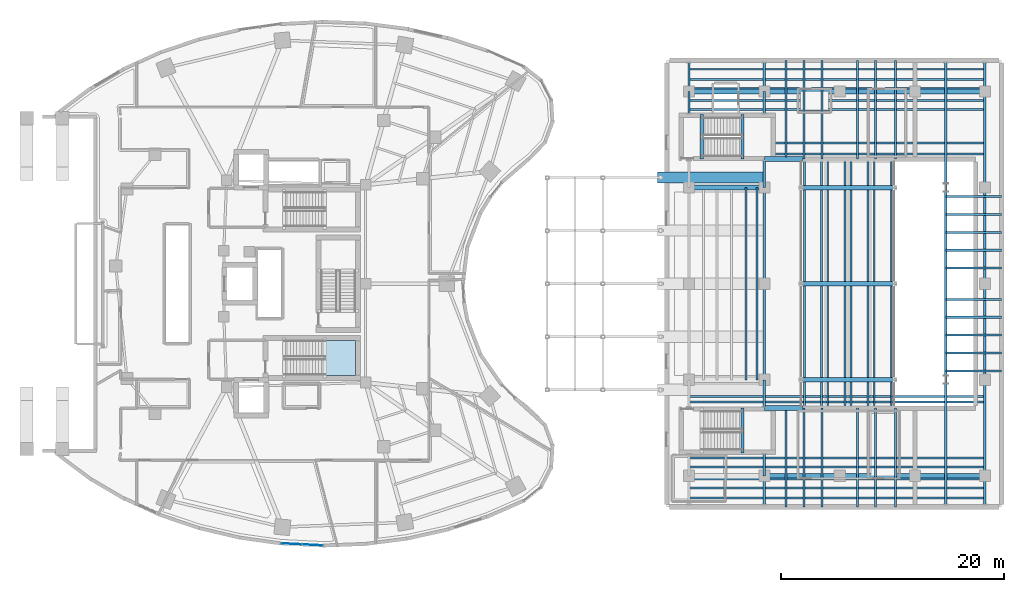
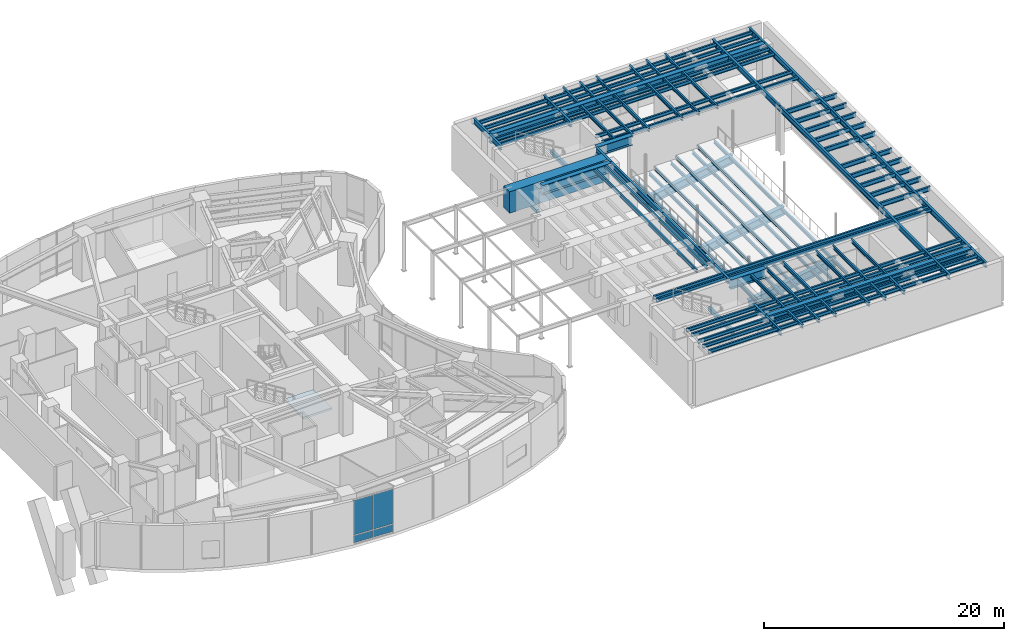
# One storey, part 11 of 24: 78 beams, 4 plates, 1 slab, 2 elements without a shape of their own.
"""IFC4 building model written with IfcOpenShell, lengths in metres."""

from ifc_helpers import new_model, si_unit, direction, frame, origin, origin_2d, place, context, subcontext, project, spatial, polyline, rectangle, i_section, outline, extrude, material, layer, layer_set, material_profile, profile_set, type_object, element, aggregate, save


model = new_model("IFC4")

# Units and contexts
model_context = context("Model", 3, precision=1e-05, world=origin(), true_north=direction((0.0, 1.0)))
body_context = subcontext(model_context, "Body", "Model", "MODEL_VIEW")
ifc_project = project(units=[si_unit("LENGTHUNIT", "METRE"), si_unit("AREAUNIT", "SQUARE_METRE"), si_unit("VOLUMEUNIT", "CUBIC_METRE"), si_unit("PLANEANGLEUNIT", "RADIAN"), si_unit("MASSUNIT", "GRAM", prefix="KILO")], contexts=[model_context])

# Site, building, storey
site_placement = place(None, origin())
site = spatial("IfcSite", under=ifc_project, at=site_placement, CompositionType="ELEMENT")
building_placement = place(site_placement, origin())
building = spatial("IfcBuilding", under=site, at=building_placement, Name="Korentha Bioscience Tower", CompositionType="ELEMENT")
storey_placement = place(building_placement, frame((0.0, 0.0, 5.39990234375)))
storey = spatial("IfcBuildingStorey", under=building, at=storey_placement, Name="L01", CompositionType="ELEMENT", Elevation=5.39990234375)

# Beams
ifc_material_1 = material(Name="Steel S355", Category="steel")
ifc_material_profile_1 = material_profile(ifc_material_1, i_section(OverallWidth=0.166015625, OverallDepth=0.31298828125, WebThickness=0.006591796875, FlangeThickness=0.01123046875, at=origin_2d()), Name="Steel S355")
ifc_profile_set_1 = profile_set([ifc_material_profile_1], Name="Steel S355 (TS-310)")
beam_type_1 = type_object("IfcBeamType", Name="Auditorium Tier Stringer Beam W310x44.5", PredefinedType="BEAM", material=ifc_profile_set_1)
for number, where, z_axis, x_axis, name in (
    (1, (76.85009765625, 15.85009765625, -0.056396484375), (0.0, 1.0, 0.0), (-1.0, 0.0, 0.0), "L01 Tier Stringer Beam 1F"),
    (2, (78.3798828125, 15.85009765625, -0.056396484375), (0.0, 1.0, 0.0), (-1.0, 0.0, 0.0), "L01 Tier Stringer Beam 1B"),
    (3, (78.929931640625, 15.85009765625, 0.3037109375), (0.0, 1.0, 0.0), (-1.0, 0.0, 0.0), "L01 Tier Stringer Beam 2F"),
    (4, (80.4599609375, 15.85009765625, 0.3037109375), (0.0, 1.0, 0.0), (-1.0, 0.0, 0.0), "L01 Tier Stringer Beam 2B"),
    (5, (81.010009765625, 15.85009765625, 0.66357421875), (0.0, 1.0, 0.0), (-1.0, 0.0, 0.0), "L01 Tier Stringer Beam 3F"),
    (6, (82.5400390625, 15.85009765625, 0.66357421875), (0.0, 1.0, 0.0), (-1.0, 0.0, 0.0), "L01 Tier Stringer Beam 3B"),
    (7, (83.090087890625, 15.85009765625, 1.023681640625), (0.0, 1.0, 0.0), (-1.0, 0.0, 0.0), "L01 Tier Stringer Beam 4F"),
    (8, (84.6201171875, 15.85009765625, 1.023681640625), (0.0, 1.0, 0.0), (-1.0, 0.0, 0.0), "L01 Tier Stringer Beam 4B"),
):
    element("IfcBeam", number, at=place(storey_placement, frame(where, z_axis=z_axis, x_axis=x_axis)), inside=storey, type_object=beam_type_1, Name=name, PredefinedType="BEAM", context=body_context, shape_type="SweptSolid", body=[
        extrude(i_section(OverallWidth=0.166015625, OverallDepth=0.31298828125, WebThickness=0.006591796875, FlangeThickness=0.01123046875, at=origin_2d()), origin(), (0.0, 0.0, 1.0), 22.2998046875),
    ])
ifc_material_2 = material(Name="Concrete C50", Category="concrete")
ifc_material_profile_2 = material_profile(ifc_material_2, rectangle(XDim=0.280029296875, YDim=0.3798828125, at=origin_2d()), Name="Concrete C50")
ifc_profile_set_2 = profile_set([ifc_material_profile_2], Name="Concrete C50 (ST-HB380)")
beam_type_2 = type_object("IfcBeamType", Name="Concrete Stair Header Beam RC 280x380", PredefinedType="BEAM", material=ifc_profile_set_2)
for number, where, z_axis, x_axis, name in (
    (9, (71.2900390625, 11.85009765625, 2.210205078125), (0.0, 1.0, 0.0), (-1.0, 0.0, 0.0), "L01 ST-T1 Half-Landing Header Beam 1"),
    (10, (67.64990234375, 38.14990234375, -0.18994140625), (0.0, 1.0, 0.0), (-1.0, 0.0, 0.0), "L01 ST-T2 Concrete Stair Header Beam"),
    (11, (71.2900390625, 38.14990234375, 2.210205078125), (0.0, 1.0, 0.0), (-1.0, 0.0, 0.0), "L01 ST-T2 Half-Landing Header Beam 1"),
):
    element("IfcBeam", number, at=place(storey_placement, frame(where, z_axis=z_axis, x_axis=x_axis)), inside=storey, type_object=beam_type_2, Name=name, PredefinedType="BEAM", context=body_context, shape_type="SweptSolid", body=[
        extrude(rectangle(XDim=0.280029296875, YDim=0.3798828125, at=origin_2d()), origin(), (0.0, 0.0, 1.0), 4.0),
    ])
ifc_material_profile_3 = material_profile(ifc_material_1, i_section(OverallWidth=0.208984375, OverallDepth=0.532958984375, WebThickness=0.01025390625, FlangeThickness=0.015625, at=origin_2d()), Name="Steel S355")
ifc_profile_set_3 = profile_set([ifc_material_profile_3], Name="Steel S355 (SB-530)")
beam_type_3 = type_object("IfcBeamType", Name="Perimeter Ring Spandrel Girder W530x92", PredefinedType="SPANDREL", material=ifc_profile_set_3)
beam_1_placement = place(storey_placement, frame((66.5, 42.25, 4.233642578125), z_axis=(0.0, 1.0, 0.0), x_axis=(-1.0, 0.0, 0.0)))
element("IfcBeam", 12, at=beam_1_placement, inside=storey, type_object=beam_type_3, Name="L01 Theatre Collector Girder 1-7", PredefinedType="SPANDREL", context=body_context, shape_type="SweptSolid", body=[
    extrude(i_section(OverallWidth=0.208984375, OverallDepth=0.532958984375, WebThickness=0.01025390625, FlangeThickness=0.015625, at=origin_2d()), origin(), (0.0, 0.0, 1.0), 1.949951171875),
])
for number, where, z_axis, x_axis, name in (
    (13, (66.5, 44.199951171875, 4.233642578125), (0.0, 1.0, 0.0), (-1.0, 0.0, 0.0), "L01 Theatre Collector Girder 1-8"),
    (14, (73.25, 7.2099609375, 4.233642578125), (0.0, 1.0, 0.0), (-1.0, 0.0, 0.0), "L01 Theatre Collector Girder 2-1"),
):
    element("IfcBeam", number, at=place(storey_placement, frame(where, z_axis=z_axis, x_axis=x_axis)), inside=storey, type_object=beam_type_3, Name=name, PredefinedType="SPANDREL", context=body_context, shape_type="SweptSolid", body=[
        extrude(i_section(OverallWidth=0.208984375, OverallDepth=0.532958984375, WebThickness=0.01025390625, FlangeThickness=0.015625, at=origin_2d()), origin(), (0.0, 0.0, 1.0), 2.590087890625),
    ])
beam_2_placement = place(storey_placement, frame((73.25, 9.800048828125, 4.233642578125), z_axis=(0.0, 1.0, 0.0), x_axis=(-1.0, 0.0, 0.0)))
element("IfcBeam", 15, at=beam_2_placement, inside=storey, type_object=beam_type_3, Name="L01 Theatre Collector Girder 2-2", PredefinedType="SPANDREL", context=body_context, shape_type="SweptSolid", body=[
    extrude(i_section(OverallWidth=0.208984375, OverallDepth=0.532958984375, WebThickness=0.01025390625, FlangeThickness=0.015625, at=origin_2d()), origin(), (0.0, 0.0, 1.0), 1.949951171875),
])
beam_3_placement = place(storey_placement, frame((73.25, 15.949951171875, 4.233642578125), z_axis=(0.0, 1.0, 0.0), x_axis=(-1.0, 0.0, 0.0)))
element("IfcBeam", 16, at=beam_3_placement, inside=storey, type_object=beam_type_3, Name="L01 Theatre Collector Girder 2-3", PredefinedType="SPANDREL", context=body_context, shape_type="SweptSolid", body=[
    extrude(i_section(OverallWidth=0.208984375, OverallDepth=0.532958984375, WebThickness=0.01025390625, FlangeThickness=0.015625, at=origin_2d()), origin(), (0.0, 0.0, 1.0), 2.449951171875),
])
for number, where, z_axis, x_axis, name in (
    (17, (73.25, 18.39990234375, 4.233642578125), (0.0, 1.0, 0.0), (-1.0, 0.0, 0.0), "L01 Theatre Collector Girder 2-4"),
    (18, (73.25, 27.0, 4.233642578125), (0.0, 1.0, 0.0), (-1.0, 0.0, 0.0), "L01 Theatre Collector Girder 2-5"),
):
    element("IfcBeam", number, at=place(storey_placement, frame(where, z_axis=z_axis, x_axis=x_axis)), inside=storey, type_object=beam_type_3, Name=name, PredefinedType="SPANDREL", context=body_context, shape_type="SweptSolid", body=[
        extrude(i_section(OverallWidth=0.208984375, OverallDepth=0.532958984375, WebThickness=0.01025390625, FlangeThickness=0.015625, at=origin_2d()), origin(), (0.0, 0.0, 1.0), 8.60009765625),
    ])
beam_4_placement = place(storey_placement, frame((73.25, 35.60009765625, 4.233642578125), z_axis=(0.0, 1.0, 0.0), x_axis=(-1.0, 0.0, 0.0)))
element("IfcBeam", 19, at=beam_4_placement, inside=storey, type_object=beam_type_3, Name="L01 Theatre Collector Girder 2-6", PredefinedType="SPANDREL", context=body_context, shape_type="SweptSolid", body=[
    extrude(i_section(OverallWidth=0.208984375, OverallDepth=0.532958984375, WebThickness=0.01025390625, FlangeThickness=0.015625, at=origin_2d()), origin(), (0.0, 0.0, 1.0), 2.449951171875),
])
beam_5_placement = place(storey_placement, frame((73.25, 42.25, 4.233642578125), z_axis=(0.0, 1.0, 0.0), x_axis=(-1.0, 0.0, 0.0)))
element("IfcBeam", 20, at=beam_5_placement, inside=storey, type_object=beam_type_3, Name="L01 Theatre Collector Girder 2-7", PredefinedType="SPANDREL", context=body_context, shape_type="SweptSolid", body=[
    extrude(i_section(OverallWidth=0.208984375, OverallDepth=0.532958984375, WebThickness=0.01025390625, FlangeThickness=0.015625, at=origin_2d()), origin(), (0.0, 0.0, 1.0), 1.949951171875),
])
beam_6_placement = place(storey_placement, frame((73.25, 44.199951171875, 4.233642578125), z_axis=(0.0, 1.0, 0.0), x_axis=(-1.0, 0.0, 0.0)))
element("IfcBeam", 21, at=beam_6_placement, inside=storey, type_object=beam_type_3, Name="L01 Theatre Collector Girder 2-8", PredefinedType="SPANDREL", context=body_context, shape_type="SweptSolid", body=[
    extrude(i_section(OverallWidth=0.208984375, OverallDepth=0.532958984375, WebThickness=0.01025390625, FlangeThickness=0.015625, at=origin_2d()), origin(), (0.0, 0.0, 1.0), 2.590087890625),
])
beam_7_placement = place(storey_placement, frame((89.5, 7.2099609375, 4.233642578125), z_axis=(0.0, 1.0, 0.0), x_axis=(-1.0, 0.0, 0.0)))
element("IfcBeam", 22, at=beam_7_placement, inside=storey, type_object=beam_type_3, Name="L01 Theatre Collector Girder 3-1", PredefinedType="SPANDREL", context=body_context, shape_type="SweptSolid", body=[
    extrude(i_section(OverallWidth=0.208984375, OverallDepth=0.532958984375, WebThickness=0.01025390625, FlangeThickness=0.015625, at=origin_2d()), origin(), (0.0, 0.0, 1.0), 11.18994140625),
])
beam_8_placement = place(storey_placement, frame((89.5, 18.39990234375, 4.233642578125), z_axis=(0.0, 1.0, 0.0), x_axis=(-1.0, 0.0, 0.0)))
element("IfcBeam", 23, at=beam_8_placement, inside=storey, type_object=beam_type_3, Name="L01 Theatre Collector Girder 3-2", PredefinedType="SPANDREL", context=body_context, shape_type="SweptSolid", body=[
    extrude(i_section(OverallWidth=0.208984375, OverallDepth=0.532958984375, WebThickness=0.01025390625, FlangeThickness=0.015625, at=origin_2d()), origin(), (0.0, 0.0, 1.0), 17.2001953125),
])
beam_9_placement = place(storey_placement, frame((89.5, 35.60009765625, 4.233642578125), z_axis=(0.0, 1.0, 0.0), x_axis=(-1.0, 0.0, 0.0)))
element("IfcBeam", 24, at=beam_9_placement, inside=storey, type_object=beam_type_3, Name="L01 Theatre Collector Girder 3-3", PredefinedType="SPANDREL", context=body_context, shape_type="SweptSolid", body=[
    extrude(i_section(OverallWidth=0.208984375, OverallDepth=0.532958984375, WebThickness=0.01025390625, FlangeThickness=0.015625, at=origin_2d()), origin(), (0.0, 0.0, 1.0), 11.18994140625),
])
beam_10_placement = place(storey_placement, frame((93.0, 7.2099609375, 4.233642578125), z_axis=(0.0, 1.0, 0.0), x_axis=(-1.0, 0.0, 0.0)))
element("IfcBeam", 25, at=beam_10_placement, inside=storey, type_object=beam_type_3, Name="L01 Theatre Collector Girder 4-1", PredefinedType="SPANDREL", context=body_context, shape_type="SweptSolid", body=[
    extrude(i_section(OverallWidth=0.208984375, OverallDepth=0.532958984375, WebThickness=0.01025390625, FlangeThickness=0.015625, at=origin_2d()), origin(), (0.0, 0.0, 1.0), 2.590087890625),
])
beam_11_placement = place(storey_placement, frame((93.0, 9.800048828125, 4.233642578125), z_axis=(0.0, 1.0, 0.0), x_axis=(-1.0, 0.0, 0.0)))
element("IfcBeam", 26, at=beam_11_placement, inside=storey, type_object=beam_type_3, Name="L01 Theatre Collector Girder 4-2", PredefinedType="SPANDREL", context=body_context, shape_type="SweptSolid", body=[
    extrude(i_section(OverallWidth=0.208984375, OverallDepth=0.532958984375, WebThickness=0.01025390625, FlangeThickness=0.015625, at=origin_2d()), origin(), (0.0, 0.0, 1.0), 8.599853515625),
])
for number, where, z_axis, x_axis, name in (
    (27, (93.0, 18.39990234375, 4.233642578125), (0.0, 1.0, 0.0), (-1.0, 0.0, 0.0), "L01 Theatre Collector Girder 4-3"),
    (28, (93.0, 27.0, 4.233642578125), (0.0, 1.0, 0.0), (-1.0, 0.0, 0.0), "L01 Theatre Collector Girder 4-4"),
):
    element("IfcBeam", number, at=place(storey_placement, frame(where, z_axis=z_axis, x_axis=x_axis)), inside=storey, type_object=beam_type_3, Name=name, PredefinedType="SPANDREL", context=body_context, shape_type="SweptSolid", body=[
        extrude(i_section(OverallWidth=0.208984375, OverallDepth=0.532958984375, WebThickness=0.01025390625, FlangeThickness=0.015625, at=origin_2d()), origin(), (0.0, 0.0, 1.0), 8.60009765625),
    ])
beam_12_placement = place(storey_placement, frame((93.0, 35.60009765625, 4.233642578125), z_axis=(0.0, 1.0, 0.0), x_axis=(-1.0, 0.0, 0.0)))
element("IfcBeam", 29, at=beam_12_placement, inside=storey, type_object=beam_type_3, Name="L01 Theatre Collector Girder 4-5", PredefinedType="SPANDREL", context=body_context, shape_type="SweptSolid", body=[
    extrude(i_section(OverallWidth=0.208984375, OverallDepth=0.532958984375, WebThickness=0.01025390625, FlangeThickness=0.015625, at=origin_2d()), origin(), (0.0, 0.0, 1.0), 8.599853515625),
])
beam_13_placement = place(storey_placement, frame((93.0, 44.199951171875, 4.233642578125), z_axis=(0.0, 1.0, 0.0), x_axis=(-1.0, 0.0, 0.0)))
element("IfcBeam", 30, at=beam_13_placement, inside=storey, type_object=beam_type_3, Name="L01 Theatre Collector Girder 4-6", PredefinedType="SPANDREL", context=body_context, shape_type="SweptSolid", body=[
    extrude(i_section(OverallWidth=0.208984375, OverallDepth=0.532958984375, WebThickness=0.01025390625, FlangeThickness=0.015625, at=origin_2d()), origin(), (0.0, 0.0, 1.0), 2.590087890625),
])
ifc_material_profile_4 = material_profile(ifc_material_1, i_section(OverallWidth=0.18994140625, OverallDepth=0.45703125, WebThickness=0.009033203125, FlangeThickness=0.014404296875, at=origin_2d()), Name="Steel S355")
ifc_profile_set_4 = profile_set([ifc_material_profile_4], Name="Steel S355 (RB-460)")
beam_type_4 = type_object("IfcBeamType", Name="Radial Laboratory Beam W460x74", PredefinedType="BEAM", material=ifc_profile_set_4)
for number, where, z_axis, x_axis, name in (
    (31, (89.5, 19.199951171875, 4.271484375), (1.0, 0.0, 0.0), (0.0, 1.0, 0.0), "L01 Stage Fly-Tower Girder 01"),
    (32, (89.5, 20.800048828125, 4.271484375), (1.0, 0.0, 0.0), (0.0, 1.0, 0.0), "L01 Stage Fly-Tower Girder 02"),
    (33, (89.5, 22.39990234375, 4.271484375), (1.0, 0.0, 0.0), (0.0, 1.0, 0.0), "L01 Stage Fly-Tower Girder 03"),
    (34, (89.5, 24.0, 4.271484375), (1.0, 0.0, 0.0), (0.0, 1.0, 0.0), "L01 Stage Fly-Tower Girder 04"),
    (35, (89.5, 25.60009765625, 4.271484375), (1.0, 0.0, 0.0), (0.0, 1.0, 0.0), "L01 Stage Fly-Tower Girder 05"),
    (36, (89.5, 28.39990234375, 4.271484375), (1.0, 0.0, 0.0), (0.0, 1.0, 0.0), "L01 Stage Fly-Tower Girder 06"),
    (37, (89.5, 30.0, 4.271484375), (1.0, 0.0, 0.0), (0.0, 1.0, 0.0), "L01 Stage Fly-Tower Girder 07"),
    (38, (89.5, 31.60009765625, 4.271484375), (1.0, 0.0, 0.0), (0.0, 1.0, 0.0), "L01 Stage Fly-Tower Girder 08"),
    (39, (89.5, 33.199951171875, 4.271484375), (1.0, 0.0, 0.0), (0.0, 1.0, 0.0), "L01 Stage Fly-Tower Girder 09"),
    (40, (89.5, 34.800048828125, 4.271484375), (1.0, 0.0, 0.0), (0.0, 1.0, 0.0), "L01 Stage Fly-Tower Girder 10"),
):
    element("IfcBeam", number, at=place(storey_placement, frame(where, z_axis=z_axis, x_axis=x_axis)), inside=storey, type_object=beam_type_4, Name=name, PredefinedType="BEAM", context=body_context, shape_type="SweptSolid", body=[
        extrude(i_section(OverallWidth=0.18994140625, OverallDepth=0.45703125, WebThickness=0.009033203125, FlangeThickness=0.014404296875, at=origin_2d()), origin(), (0.0, 0.0, 1.0), 5.0),
    ])
ifc_material_profile_5 = material_profile(ifc_material_1, i_section(OverallWidth=0.1708984375, OverallDepth=0.35498046875, WebThickness=0.007080078125, FlangeThickness=0.01171875, at=origin_2d()), Name="Steel S355")
ifc_profile_set_5 = profile_set([ifc_material_profile_5], Name="Steel S355 (JB-360)")
beam_type_5 = type_object("IfcBeamType", Name="Secondary Laboratory Joist W360x51", PredefinedType="JOIST", material=ifc_profile_set_5)
for number, where, z_axis, x_axis, name in (
    (41, (66.5, 7.800048828125, 4.322509765625), (1.0, 0.0, 0.0), (0.0, 1.0, 0.0), "L01 Theatre Wing Secondary Joist 01"),
    (42, (66.5, 8.699951171875, 4.322509765625), (1.0, 0.0, 0.0), (0.0, 1.0, 0.0), "L01 Theatre Wing Secondary Joist 02"),
    (43, (66.5, 9.5, 4.322509765625), (1.0, 0.0, 0.0), (0.0, 1.0, 0.0), "L01 Theatre Wing Secondary Joist 03"),
    (44, (66.5, 10.60009765625, 4.322509765625), (1.0, 0.0, 0.0), (0.0, 1.0, 0.0), "L01 Theatre Wing Secondary Joist 04"),
    (45, (66.5, 11.39990234375, 4.322509765625), (1.0, 0.0, 0.0), (0.0, 1.0, 0.0), "L01 Theatre Wing Secondary Joist 05"),
    (46, (66.5, 16.39990234375, 4.322509765625), (1.0, 0.0, 0.0), (0.0, 1.0, 0.0), "L01 Theatre Wing Secondary Joist 06"),
    (47, (66.5, 16.89990234375, 4.322509765625), (1.0, 0.0, 0.0), (0.0, 1.0, 0.0), "L01 Theatre Wing Secondary Joist 07"),
):
    element("IfcBeam", number, at=place(storey_placement, frame(where, z_axis=z_axis, x_axis=x_axis)), inside=storey, type_object=beam_type_5, Name=name, PredefinedType="JOIST", context=body_context, shape_type="SweptSolid", body=[
        extrude(i_section(OverallWidth=0.1708984375, OverallDepth=0.35498046875, WebThickness=0.007080078125, FlangeThickness=0.01171875, at=origin_2d()), origin(), (0.0, 0.0, 1.0), 26.5),
    ])
for number, where, z_axis, x_axis, name in (
    (48, (74.0400390625, 38.60009765625, 4.322509765625), (1.0, 0.0, 0.0), (0.0, 1.0, 0.0), "L01 Theatre Wing Secondary Joist 08"),
    (49, (74.0400390625, 39.60009765625, 4.322509765625), (1.0, 0.0, 0.0), (0.0, 1.0, 0.0), "L01 Theatre Wing Secondary Joist 09"),
):
    element("IfcBeam", number, at=place(storey_placement, frame(where, z_axis=z_axis, x_axis=x_axis)), inside=storey, type_object=beam_type_5, Name=name, PredefinedType="JOIST", context=body_context, shape_type="SweptSolid", body=[
        extrude(i_section(OverallWidth=0.1708984375, OverallDepth=0.35498046875, WebThickness=0.007080078125, FlangeThickness=0.01171875, at=origin_2d()), origin(), (0.0, 0.0, 1.0), 18.9599609375),
    ])
for number, where, z_axis, x_axis, name in (
    (50, (66.5, 42.60009765625, 4.322509765625), (1.0, 0.0, 0.0), (0.0, 1.0, 0.0), "L01 Theatre Wing Secondary Joist 10"),
    (51, (66.5, 43.39990234375, 4.322509765625), (1.0, 0.0, 0.0), (0.0, 1.0, 0.0), "L01 Theatre Wing Secondary Joist 11"),
    (52, (66.5, 44.5, 4.322509765625), (1.0, 0.0, 0.0), (0.0, 1.0, 0.0), "L01 Theatre Wing Secondary Joist 12"),
    (53, (66.5, 45.300048828125, 4.322509765625), (1.0, 0.0, 0.0), (0.0, 1.0, 0.0), "L01 Theatre Wing Secondary Joist 13"),
    (54, (66.5, 46.199951171875, 4.322509765625), (1.0, 0.0, 0.0), (0.0, 1.0, 0.0), "L01 Theatre Wing Secondary Joist 14"),
):
    element("IfcBeam", number, at=place(storey_placement, frame(where, z_axis=z_axis, x_axis=x_axis)), inside=storey, type_object=beam_type_5, Name=name, PredefinedType="JOIST", context=body_context, shape_type="SweptSolid", body=[
        extrude(i_section(OverallWidth=0.1708984375, OverallDepth=0.35498046875, WebThickness=0.007080078125, FlangeThickness=0.01171875, at=origin_2d()), origin(), (0.0, 0.0, 1.0), 26.5),
    ])
for number, where, z_axis, x_axis, name in (
    (55, (71.60009765625, 18.39990234375, 4.322509765625), (0.0, 1.0, 0.0), (-1.0, 0.0, 0.0), "L01 Theatre Foyer Longitudinal Joist 04"),
    (56, (72.60009765625, 18.39990234375, 4.322509765625), (0.0, 1.0, 0.0), (-1.0, 0.0, 0.0), "L01 Theatre Foyer Longitudinal Joist 05"),
):
    element("IfcBeam", number, at=place(storey_placement, frame(where, z_axis=z_axis, x_axis=x_axis)), inside=storey, type_object=beam_type_5, Name=name, PredefinedType="JOIST", context=body_context, shape_type="SweptSolid", body=[
        extrude(i_section(OverallWidth=0.1708984375, OverallDepth=0.35498046875, WebThickness=0.007080078125, FlangeThickness=0.01171875, at=origin_2d()), origin(), (0.0, 0.0, 1.0), 17.2001953125),
    ])
for number, where, z_axis, x_axis, name in (
    (57, (75.199951171875, 7.0, 4.322509765625), (0.0, 1.0, 0.0), (-1.0, 0.0, 0.0), "L01 South Wing Longitudinal Joist 06"),
    (58, (75.199951171875, 38.340087890625, 4.322509765625), (0.0, 1.0, 0.0), (-1.0, 0.0, 0.0), "L01 North Wing Longitudinal Joist 06"),
):
    element("IfcBeam", number, at=place(storey_placement, frame(where, z_axis=z_axis, x_axis=x_axis)), inside=storey, type_object=beam_type_5, Name=name, PredefinedType="JOIST", context=body_context, shape_type="SweptSolid", body=[
        extrude(i_section(OverallWidth=0.1708984375, OverallDepth=0.35498046875, WebThickness=0.007080078125, FlangeThickness=0.01171875, at=origin_2d()), origin(), (0.0, 0.0, 1.0), 8.659912109375),
    ])
for number, where, z_axis, x_axis, name in (
    (59, (76.800048828125, 7.0, 4.322509765625), (0.0, 1.0, 0.0), (-1.0, 0.0, 0.0), "L01 South Wing Longitudinal Joist 07"),
    (60, (76.800048828125, 38.14990234375, 4.322509765625), (0.0, 1.0, 0.0), (-1.0, 0.0, 0.0), "L01 North Wing Longitudinal Joist 07"),
    (61, (78.39990234375, 7.0, 4.322509765625), (0.0, 1.0, 0.0), (-1.0, 0.0, 0.0), "L01 South Wing Longitudinal Joist 08"),
    (62, (78.39990234375, 38.14990234375, 4.322509765625), (0.0, 1.0, 0.0), (-1.0, 0.0, 0.0), "L01 North Wing Longitudinal Joist 08"),
    (63, (81.60009765625, 7.0, 4.322509765625), (0.0, 1.0, 0.0), (-1.0, 0.0, 0.0), "L01 South Wing Longitudinal Joist 09"),
    (64, (81.60009765625, 38.14990234375, 4.322509765625), (0.0, 1.0, 0.0), (-1.0, 0.0, 0.0), "L01 North Wing Longitudinal Joist 09"),
    (65, (83.199951171875, 7.0, 4.322509765625), (0.0, 1.0, 0.0), (-1.0, 0.0, 0.0), "L01 South Wing Longitudinal Joist 10"),
    (66, (83.199951171875, 38.14990234375, 4.322509765625), (0.0, 1.0, 0.0), (-1.0, 0.0, 0.0), "L01 North Wing Longitudinal Joist 10"),
    (67, (85.0, 7.0, 4.322509765625), (0.0, 1.0, 0.0), (-1.0, 0.0, 0.0), "L01 South Wing Longitudinal Joist 11"),
    (68, (85.0, 38.14990234375, 4.322509765625), (0.0, 1.0, 0.0), (-1.0, 0.0, 0.0), "L01 North Wing Longitudinal Joist 11"),
):
    element("IfcBeam", number, at=place(storey_placement, frame(where, z_axis=z_axis, x_axis=x_axis)), inside=storey, type_object=beam_type_5, Name=name, PredefinedType="JOIST", context=body_context, shape_type="SweptSolid", body=[
        extrude(i_section(OverallWidth=0.1708984375, OverallDepth=0.35498046875, WebThickness=0.007080078125, FlangeThickness=0.01171875, at=origin_2d()), origin(), (0.0, 0.0, 1.0), 8.85009765625),
    ])
ifc_material_profile_6 = material_profile(ifc_material_1, i_section(OverallWidth=0.419921875, OverallDepth=0.85009765625, WebThickness=0.01806640625, FlangeThickness=0.031982421875, at=origin_2d()), Name="Steel S355")
ifc_profile_set_6 = profile_set([ifc_material_profile_6], Name="Steel S355 (TR-850)")
beam_type_6 = type_object("IfcBeamType", Name="Theatre Auditorium Raker Girder CVS 850x315", PredefinedType="USERDEFINED", material=ifc_profile_set_6)
for number, where, z_axis, x_axis, name in (
    (69, (84.949951171875, 18.39990234375, 0.76708984375), (-0.984590221828, 0.0, -0.174877371551), (0.0, -1.0, 0.0), "L01 Auditorium Raker Girder Y18"),
    (70, (84.949951171875, 27.0, 0.76708984375), (-0.984590221828, 0.0, -0.174877371551), (0.0, -1.0, 0.0), "L01 Auditorium Raker Girder Y27"),
    (71, (84.949951171875, 35.60009765625, 0.76708984375), (-0.984590221828, 0.0, -0.174877371551), (0.0, -1.0, 0.0), "L01 Auditorium Raker Girder Y35"),
):
    element("IfcBeam", number, at=place(storey_placement, frame(where, z_axis=z_axis, x_axis=x_axis)), inside=storey, type_object=beam_type_6, Name=name, ObjectType="RAKER", PredefinedType="USERDEFINED", context=body_context, shape_type="SweptSolid", body=[
        extrude(i_section(OverallWidth=0.419921875, OverallDepth=0.85009765625, WebThickness=0.01806640625, FlangeThickness=0.031982421875, at=origin_2d()), origin(), (0.0, 0.0, 1.0), 8.53125),
    ])
ifc_material_profile_7 = material_profile(ifc_material_2, rectangle(XDim=1.0, YDim=2.199951171875, at=origin_2d()), Name="Concrete C50")
ifc_profile_set_7 = profile_set([ifc_material_profile_7], Name="Concrete C50 (TCB-01)")
beam_type_7 = type_object("IfcBeamType", Name="Theatre Joint Corbel Beam RC 1000x2200", PredefinedType="BEAM", material=ifc_profile_set_7)
beam_14_placement = place(storey_placement, frame((63.699951171875, 36.5, 3.400146484375), z_axis=(1.0, 0.0, 0.0), x_axis=(0.0, 1.0, 0.0)))
element("IfcBeam", 72, at=beam_14_placement, inside=storey, type_object=beam_type_7, Name="L01 Theatre Movement-Joint Corbel 05", PredefinedType="BEAM", context=body_context, shape_type="SweptSolid", body=[
    extrude(rectangle(XDim=1.0, YDim=2.199951171875, at=origin_2d()), origin(), (0.0, 0.0, 1.0), 9.550048828125),
])
ifc_material_profile_8 = material_profile(ifc_material_1, i_section(OverallWidth=0.449951171875, OverallDepth=0.949951171875, WebThickness=0.02001953125, FlangeThickness=0.034912109375, at=origin_2d()), Name="Steel S355")
ifc_profile_set_8 = profile_set([ifc_material_profile_8], Name="Steel S355 (TB-950)")
beam_type_8 = type_object("IfcBeamType", Name="Theatre Primary Girder CVS 950x374", PredefinedType="BEAM", material=ifc_profile_set_8)
for number, where, z_axis, x_axis, name in (
    (73, (73.25, 15.85009765625, 4.025146484375), (1.0, 0.0, 0.0), (0.0, 1.0, 0.0), "L01 Theatre Corridor Header Girder S"),
    (74, (73.25, 38.14990234375, 4.025146484375), (1.0, 0.0, 0.0), (0.0, 1.0, 0.0), "L01 Theatre Corridor Header Girder N"),
):
    element("IfcBeam", number, at=place(storey_placement, frame(where, z_axis=z_axis, x_axis=x_axis)), inside=storey, type_object=beam_type_8, Name=name, PredefinedType="BEAM", context=body_context, shape_type="SweptSolid", body=[
        extrude(i_section(OverallWidth=0.449951171875, OverallDepth=0.949951171875, WebThickness=0.02001953125, FlangeThickness=0.034912109375, at=origin_2d()), origin(), (0.0, 0.0, 1.0), 3.39990234375),
    ])
beam_15_placement = place(storey_placement, frame((73.25, 9.800048828125, 4.025146484375), z_axis=(1.0, 0.0, 0.0), x_axis=(0.0, 1.0, 0.0)))
element("IfcBeam", 75, at=beam_15_placement, inside=storey, type_object=beam_type_8, Name="L01 Theatre Long-Span Girder 1", PredefinedType="BEAM", context=body_context, shape_type="SweptSolid", body=[
    extrude(i_section(OverallWidth=0.449951171875, OverallDepth=0.949951171875, WebThickness=0.02001953125, FlangeThickness=0.034912109375, at=origin_2d()), origin(), (0.0, 0.0, 1.0), 19.75),
])
for number, where, z_axis, x_axis, name in (
    (76, (66.5, 35.60009765625, 4.025146484375), (1.0, 0.0, 0.0), (0.0, 1.0, 0.0), "L01 Theatre Foyer Girder 4"),
    (77, (66.5, 44.199951171875, 4.025146484375), (1.0, 0.0, 0.0), (0.0, 1.0, 0.0), "L01 Theatre Foyer Girder 5"),
):
    element("IfcBeam", number, at=place(storey_placement, frame(where, z_axis=z_axis, x_axis=x_axis)), inside=storey, type_object=beam_type_8, Name=name, PredefinedType="BEAM", context=body_context, shape_type="SweptSolid", body=[
        extrude(i_section(OverallWidth=0.449951171875, OverallDepth=0.949951171875, WebThickness=0.02001953125, FlangeThickness=0.034912109375, at=origin_2d()), origin(), (0.0, 0.0, 1.0), 6.75),
    ])
beam_16_placement = place(storey_placement, frame((73.25, 44.199951171875, 4.025146484375), z_axis=(1.0, 0.0, 0.0), x_axis=(0.0, 1.0, 0.0)))
element("IfcBeam", 78, at=beam_16_placement, inside=storey, type_object=beam_type_8, Name="L01 Theatre Long-Span Girder 5", PredefinedType="BEAM", context=body_context, shape_type="SweptSolid", body=[
    extrude(i_section(OverallWidth=0.449951171875, OverallDepth=0.949951171875, WebThickness=0.02001953125, FlangeThickness=0.034912109375, at=origin_2d()), origin(), (0.0, 0.0, 1.0), 19.75),
])

# Curtain wall, plates
ifc_material_3 = material(Name="Stone-Clad Aluminium Frame", Category="masonry")
ifc_layer_1 = layer(ifc_material_3, 0.219970703125, Name="Stone-Clad Aluminium Frame")
ifc_layer_set_1 = layer_set([ifc_layer_1], Name="Stone-Clad Aluminium Frame (CW-P1)")
curtain_wall_type = type_object("IfcCurtainWallType", Name="Podium Double-Height Stone-Mullion Curtain Wall CW-P1", PredefinedType="USERDEFINED", material=ifc_layer_set_1)
curtain_wall_placement = place(storey_placement, origin())
curtain_wall = element("IfcCurtainWall", 79, at=curtain_wall_placement, inside=storey, type_object=curtain_wall_type, Name="L01 Curtain Wall 31", ObjectType="UNITISED", PredefinedType="USERDEFINED")
ifc_material_4 = material(Name="Triple-Glazed Low-E Insulated Glass", Category="glass")
ifc_layer_2 = layer(ifc_material_4, 0.0439453125, Name="Triple-Glazed Low-E Insulated Glass")
ifc_layer_set_2 = layer_set([ifc_layer_2], Name="Triple-Glazed Low-E Insulated Glass (GL-44)")
plate_type = type_object("IfcPlateType", Name="Glazed Panel 44mm", PredefinedType="CURTAIN_PANEL", material=ifc_layer_set_2)
plate_1_placement = place(storey_placement, frame((30.90478515625, 3.70458984375, 0.08984375), z_axis=(0.0, 0.0, 1.0), x_axis=(0.998730551641, -0.050371472279, 0.0)))
plate_1 = element("IfcPlate", 80, at=plate_1_placement, type_object=plate_type, Name="CW-L01-31 Bay 1 Glazed Panel 1", PredefinedType="CURTAIN_PANEL", context=body_context, shape_type="SweptSolid", body=[
    extrude(rectangle(XDim=1.8134765625, YDim=0.0439453125, at=origin_2d()), origin(), (0.0, 0.0, 1.0), 0.715087890625),
])
plate_2_placement = place(storey_placement, frame((30.90478515625, 3.70458984375, 0.89501953125), z_axis=(0.0, 0.0, 1.0), x_axis=(0.998730551641, -0.050371472279, 0.0)))
plate_2 = element("IfcPlate", 81, at=plate_2_placement, type_object=plate_type, Name="CW-L01-31 Bay 1 Glazed Panel 2", PredefinedType="CURTAIN_PANEL", context=body_context, shape_type="SweptSolid", body=[
    extrude(rectangle(XDim=1.8134765625, YDim=0.0439453125, at=origin_2d()), origin(), (0.0, 0.0, 1.0), 3.514892578125),
])
plate_3_placement = place(storey_placement, frame((32.805908203125, 3.608642578125, 0.08984375), z_axis=(0.0, 0.0, 1.0), x_axis=(0.998730551641, -0.050371472279, 0.0)))
plate_3 = element("IfcPlate", 82, at=plate_3_placement, type_object=plate_type, Name="CW-L01-31 Bay 2 Glazed Panel 1", PredefinedType="CURTAIN_PANEL", context=body_context, shape_type="SweptSolid", body=[
    extrude(rectangle(XDim=1.8134765625, YDim=0.0439453125, at=origin_2d()), origin(), (0.0, 0.0, 1.0), 0.715087890625),
])
plate_4_placement = place(storey_placement, frame((32.805908203125, 3.608642578125, 0.89501953125), z_axis=(0.0, 0.0, 1.0), x_axis=(0.998730551641, -0.050371472279, 0.0)))
plate_4 = element("IfcPlate", 83, at=plate_4_placement, type_object=plate_type, Name="CW-L01-31 Bay 2 Glazed Panel 2", PredefinedType="CURTAIN_PANEL", context=body_context, shape_type="SweptSolid", body=[
    extrude(rectangle(XDim=1.8134765625, YDim=0.0439453125, at=origin_2d()), origin(), (0.0, 0.0, 1.0), 3.514892578125),
])
aggregate(curtain_wall, [plate_1, plate_2, plate_3, plate_4])

# Stair, slab
ifc_material_5 = material(Name="Precast Concrete C50", Category="concrete")
stair_type = type_object("IfcStairType", Name="Core Exit Dog-Leg Stair 1450", PredefinedType="HALF_TURN_STAIR", material=ifc_material_5)
stair_placement = place(storey_placement, origin())
stair = element("IfcStair", 84, at=stair_placement, inside=storey, type_object=stair_type, Name="L01 Tower South Pressurized Exit Stair ST-2", PredefinedType="HALF_TURN_STAIR")
ifc_layer_3 = layer(ifc_material_2, 0.199951171875, Name="Concrete C50")
ifc_layer_set_3 = layer_set([ifc_layer_3], Name="Concrete C50 (SL-LND)")
slab_type = type_object("IfcSlabType", Name="Landing Slab 200", PredefinedType="LANDING", material=ifc_layer_set_3)
slab_placement = place(storey_placement, frame((0.0, 0.0, 2.2001953125)))
slab = element("IfcSlab", 85, at=slab_placement, type_object=slab_type, Name="ST-2 landing 1", PredefinedType="LANDING", context=body_context, shape_type="SweptSolid", body=[
    extrude(outline(polyline([(33.889892578125, 18.800048828125), (36.64990234375, 18.800048828125), (36.64990234375, 21.89990234375), (33.889892578125, 21.89990234375), (33.889892578125, 18.800048828125)])), origin(), (0.0, 0.0, 1.0), 0.199951171875),
])
aggregate(stair, [slab])

save(model, "model.ifc")
